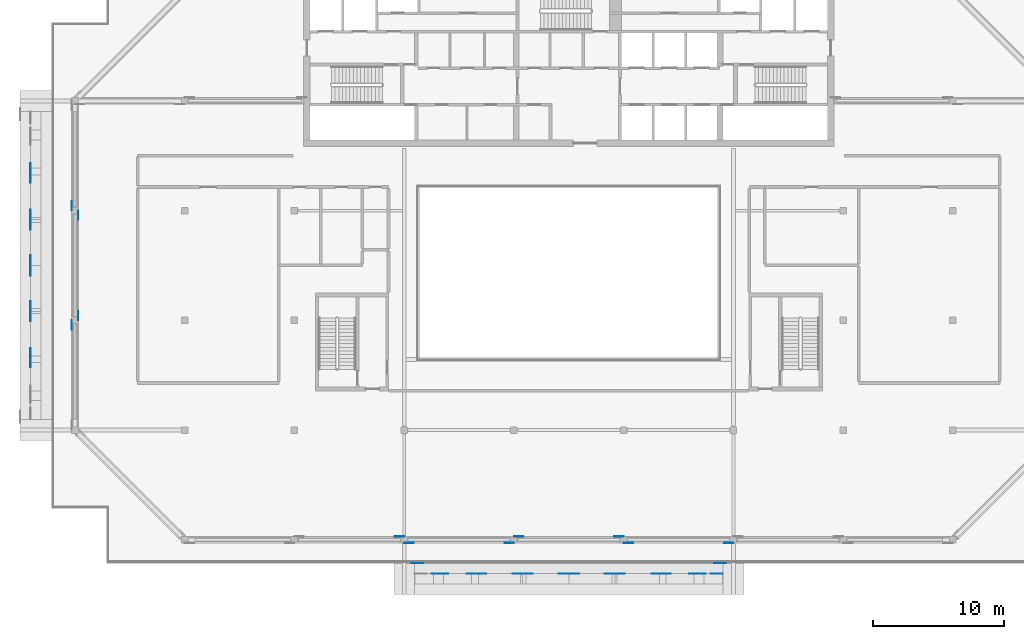
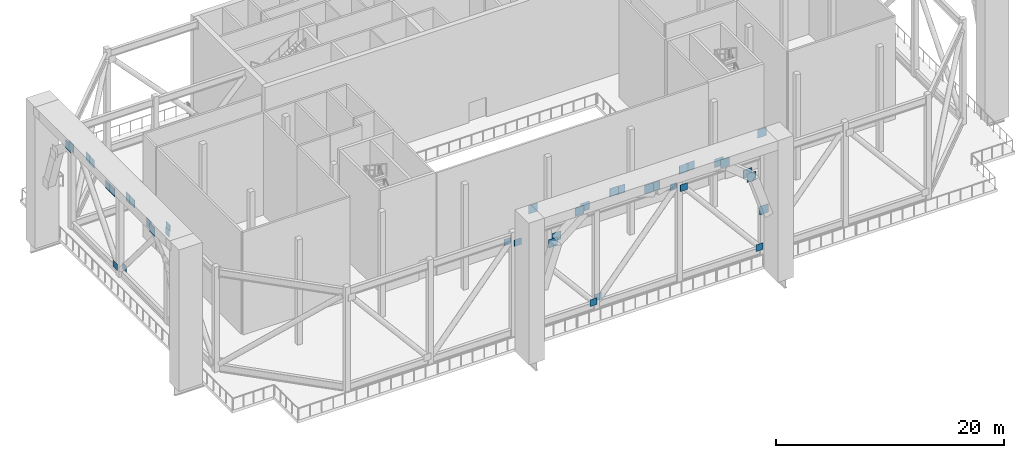
# One storey, part 11 of 20: 38 discrete accessories.
"""IFC4 building model written with IfcOpenShell, lengths in metres."""

import ifcopenshell
import ifcopenshell.guid

model = None  # the IFC model being written
_history = None  # IfcOwnerHistory: only IFC2X3 demands one
_inside = {}  # id of a spatial element -> (the spatial element, [elements in it])
_under = {}  # id of a project, library or spatial element -> (it, [spatial elements below it])
_declared = {}  # id of a project -> (the project, [libraries it declares])
_typed = {}  # id of a type object -> (the type object, [elements of that type])
_made_of = {}  # id of a material, layer set ... -> (it, [elements and type objects made of it])


def new_model(schema):
    """Start an empty IFC model of exactly this schema.

    Asked for "IFC4X3", IfcOpenShell would pick the latest addendum, in which some entities
    have other attributes; the version numbers below select the first issue.
    IFC2X3 requires an IfcOwnerHistory on every rooted entity: one is made here for all.
    """
    global model, _history
    if schema == "IFC4X3":
        model = ifcopenshell.file(schema_version=(4, 3, 0, 0))
    else:
        model = ifcopenshell.file(schema=schema)
    _inside.clear()
    _under.clear()
    _declared.clear()
    _typed.clear()
    _made_of.clear()
    _history = None
    if model.schema == "IFC2X3":
        org = make("IfcOrganization", Name="unknown")
        user = make(
            "IfcPersonAndOrganization",
            ThePerson=make("IfcPerson", FamilyName="unknown"),
            TheOrganization=org,
        )
        app = make(
            "IfcApplication",
            ApplicationDeveloper=org,
            Version="unknown",
            ApplicationFullName="unknown",
            ApplicationIdentifier="unknown",
        )
        _history = make(
            "IfcOwnerHistory",
            OwningUser=user,
            OwningApplication=app,
            ChangeAction="ADDED",
            CreationDate=0,
        )
    return model


def make(cls, **values):
    """One entity of the class cls with the attributes given. An attribute that is None is left unset."""
    return model.create_entity(
        cls, **{name: value for name, value in values.items() if value is not None}
    )


def rooted(cls, **values):
    """An entity with a GlobalId (a new one), such as an element, a storey or a relation."""
    return make(cls, GlobalId=ifcopenshell.guid.new(), OwnerHistory=_history, **values)


def si_unit(unit_type, name, prefix=None):
    """IfcSIUnit, for example si_unit("LENGTHUNIT", "METRE", prefix="MILLI")."""
    return make("IfcSIUnit", UnitType=unit_type, Prefix=prefix, Name=name)


def assignment(units):
    """IfcUnitAssignment: the units of a project."""
    return None if units is None else make("IfcUnitAssignment", Units=units)


def point(xyz):
    """IfcCartesianPoint."""
    return None if xyz is None else make("IfcCartesianPoint", Coordinates=xyz)


def direction(xyz):
    """IfcDirection."""
    return None if xyz is None else make("IfcDirection", DirectionRatios=xyz)


def frame(location, z_axis=None, x_axis=None):
    """IfcAxis2Placement3D, a coordinate frame: its origin and axes. An axis left out is left unset."""
    return make(
        "IfcAxis2Placement3D",
        Location=point(location),
        Axis=direction(z_axis),
        RefDirection=direction(x_axis),
    )


def frame_2d(location, x_axis=None):
    """IfcAxis2Placement2D, a coordinate frame in the plane: its origin and x axis."""
    return make(
        "IfcAxis2Placement2D", Location=point(location), RefDirection=direction(x_axis)
    )


def origin():
    """The frame at (0, 0, 0) with its axes left unset."""
    return frame((0.0, 0.0, 0.0))


def origin_2d():
    """The frame at (0, 0) in the plane with its x axis left unset."""
    return frame_2d((0.0, 0.0))


def place(relative_to, where):
    """IfcLocalPlacement: puts the frame where relative to a parent placement (None: the world)."""
    return make(
        "IfcLocalPlacement", PlacementRelTo=relative_to, RelativePlacement=where
    )


def context(
    kind, dimensions, precision=None, world=None, true_north=None, identifier=None
):
    """IfcGeometricRepresentationContext, for example the 3D "Model" context."""
    return make(
        "IfcGeometricRepresentationContext",
        ContextIdentifier=identifier,
        ContextType=kind,
        CoordinateSpaceDimension=dimensions,
        Precision=precision,
        WorldCoordinateSystem=world,
        TrueNorth=true_north,
    )


def subcontext(parent, identifier, kind, view, scale=None):
    """IfcGeometricRepresentationSubContext, for example "Body" below "Model"."""
    return make(
        "IfcGeometricRepresentationSubContext",
        ContextIdentifier=identifier,
        ContextType=kind,
        ParentContext=parent,
        TargetScale=scale,
        TargetView=view,
    )


def project(units=None, contexts=None):
    """IfcProject with its units and contexts."""
    return rooted(
        "IfcProject",
        Name="project",
        RepresentationContexts=contexts,
        UnitsInContext=assignment(units),
    )


def spatial(cls, under=None, at=None, **own):
    """A site, building, storey or space (cls), placed at a placement, below another one or the project."""
    s = rooted(cls, ObjectPlacement=at, **own)
    if under is not None:
        _under.setdefault(under.id(), (under, []))[1].append(s)
    return s


def profile(cls, at=None, kind="AREA", **sizes):
    """A parametric profile (cls). Its sizes go by their IFC names, for example OverallWidth=200.0."""
    return make(cls, ProfileType=kind, Position=at, **sizes)


def rectangle(**sizes):
    """IfcRectangleProfileDef."""
    return profile("IfcRectangleProfileDef", **sizes)


def extrude(swept, where, along, depth):
    """IfcExtrudedAreaSolid: the profile swept, set in the frame where, extruded along a direction by depth."""
    return make(
        "IfcExtrudedAreaSolid",
        SweptArea=swept,
        Position=where,
        ExtrudedDirection=direction(along),
        Depth=depth,
    )


def shape(context_of_items, identifier, shape_type, items):
    """IfcShapeRepresentation: the items that make up one representation, for example the "Body"."""
    return make(
        "IfcShapeRepresentation",
        ContextOfItems=context_of_items,
        RepresentationIdentifier=identifier,
        RepresentationType=shape_type,
        Items=items,
    )


def made_of(thing, what):
    """Note that an element or type object is made of a material, layer set ...; save() writes the relation."""
    if what is not None:
        _made_of.setdefault(what.id(), (what, []))[1].append(thing)
    return thing


def element(
    cls,
    number,
    at=None,
    inside=None,
    cuts=None,
    type_object=None,
    material=None,
    context=None,
    identifier="Body",
    shape_type=None,
    held_by="IfcProductDefinitionShape",
    body=None,
    shapes=None,
    **own,
):
    """One element of the class cls, such as IfcWall. Its Tag is "e" and its number.

    at: its placement. inside: the storey or other place that contains it. cuts: it is an
    opening in that element (IfcRelVoidsElement). A single representation is given by context,
    identifier, shape_type and body (its items); several are given by shapes. held_by: the class
    of the entity that holds the representations. save() writes the other relations.
    """
    e = rooted(cls, Tag="e%d" % number, ObjectPlacement=at, **own)
    if body is not None:
        shapes = [shape(context, identifier, shape_type, body)]
    if shapes is not None:
        e.Representation = make(held_by, Representations=shapes)
    if inside is not None:
        _inside.setdefault(inside.id(), (inside, []))[1].append(e)
    if cuts is not None:
        rooted(
            "IfcRelVoidsElement", RelatingBuildingElement=cuts, RelatedOpeningElement=e
        )
    if type_object is not None:
        _typed.setdefault(type_object.id(), (type_object, []))[1].append(e)
    return made_of(e, material)


def aggregate(whole, parts):
    """IfcRelAggregates: a whole, such as a stair, and the parts it consists of."""
    return rooted("IfcRelAggregates", RelatingObject=whole, RelatedObjects=parts)


def save(model, path):
    """Write the relations noted so far, then the file.

    IfcRelAggregates (storeys below a building ...), IfcRelContainedInSpatialStructure (elements
    in a storey), IfcRelDefinesByType, IfcRelAssociatesMaterial and IfcRelDeclares: one each for
    every whole, place, type object, material and project.
    """
    for whole, parts in _under.values():
        aggregate(whole, parts)
    for where, things in _inside.values():
        rooted(
            "IfcRelContainedInSpatialStructure",
            RelatedElements=things,
            RelatingStructure=where,
        )
    for kind, things in _typed.values():
        rooted("IfcRelDefinesByType", RelatedObjects=things, RelatingType=kind)
    for what, things in _made_of.values():
        rooted("IfcRelAssociatesMaterial", RelatedObjects=things, RelatingMaterial=what)
    for by, libraries in _declared.values():
        rooted("IfcRelDeclares", RelatingContext=by, RelatedDefinitions=libraries)
    model.write(path)


model = new_model("IFC4")

# Units and contexts
model_context = context("Model", 3, precision=1e-05, world=origin(), true_north=direction((0.0, 1.0)))
body_context = subcontext(model_context, "Body", "Model", "MODEL_VIEW")
ifc_project = project(units=[si_unit("LENGTHUNIT", "METRE"), si_unit("AREAUNIT", "SQUARE_METRE"), si_unit("VOLUMEUNIT", "CUBIC_METRE"), si_unit("PLANEANGLEUNIT", "RADIAN"), si_unit("MASSUNIT", "GRAM", prefix="KILO")], contexts=[model_context])

# Site, building, storey
site_placement = place(None, origin())
site = spatial("IfcSite", under=ifc_project, at=site_placement, CompositionType="ELEMENT")
building_placement = place(site_placement, origin())
building = spatial("IfcBuilding", under=site, at=building_placement, Name="Saffron Gate Tower", CompositionType="ELEMENT")
storey_placement = place(building_placement, frame((0.0, 0.0, 252.300048828125)))
storey = spatial("IfcBuildingStorey", under=building, at=storey_placement, Name="L62", CompositionType="ELEMENT", Elevation=252.300048828125)

# Discrete accessories
for number, where, z_axis, x_axis, name in (
    (1, (49.5458984375, 48.2353515625, 9.678466796875), (0.0, 0.0, 1.0), (0.0, 1.0, 0.0), "GUSSET PLATE"),
    (2, (50.053955078125, 56.635498046875, 0.580322265625), (0.0, 0.0, 1.0), (0.0, -1.0, 0.0), "GUSSET PLATE"),
    (3, (50.053955078125, 48.964599609375, 9.678466796875), (0.0, 0.0, 1.0), (0.0, -1.0, 0.0), "GUSSET PLATE"),
    (4, (49.5458984375, 57.364501953125, 0.580322265625), (0.0, 0.0, 1.0), (0.0, 1.0, 0.0), "GUSSET PLATE"),
    (5, (74.635498046875, 32.053955078125, 9.678466796875), (0.0, 0.0, 1.0), (1.0, 0.0, 0.0), "GUSSET PLATE"),
    (6, (83.035400390625, 31.5458984375, 0.580322265625), (0.0, 0.0, 1.0), (-1.0, 0.0, 0.0), "GUSSET PLATE"),
    (7, (75.364501953125, 31.5458984375, 9.678466796875), (0.0, 0.0, 1.0), (-1.0, 0.0, 0.0), "GUSSET PLATE"),
    (8, (83.7646484375, 32.053955078125, 0.580322265625), (0.0, 0.0, 1.0), (1.0, 0.0, 0.0), "GUSSET PLATE"),
    (9, (91.435302734375, 32.053955078125, 9.678466796875), (0.0, 0.0, 1.0), (1.0, 0.0, 0.0), "GUSSET PLATE"),
    (10, (99.83544921875, 31.5458984375, 0.580322265625), (0.0, 0.0, 1.0), (-1.0, 0.0, 0.0), "GUSSET PLATE"),
    (11, (92.16455078125, 31.5458984375, 9.678466796875), (0.0, 0.0, 1.0), (-1.0, 0.0, 0.0), "GUSSET PLATE"),
):
    element("IfcDiscreteAccessory", number, at=place(storey_placement, frame(where, z_axis=z_axis, x_axis=x_axis)), inside=storey, Name=name, ObjectType="GUSSET PLATE", PredefinedType="USERDEFINED", context=body_context, shape_type="SweptSolid", body=[
        extrude(rectangle(XDim=0.7109375, YDim=0.02001953125, at=origin_2d()), origin(), (0.0, 0.0, 1.0), 0.7109375),
    ])
for number, where, z_axis, x_axis, name in (
    (12, (77.55517578125, 29.199951171875, 10.19677734375), (0.0, 0.0, 1.0), (1.0, 0.0, 0.0), "EMBEDDED PLATE"),
    (13, (77.92431640625, 29.199951171875, 10.737548828125), (0.0, 0.0, 1.0), (1.0, 0.0, 0.0), "EMBEDDED PLATE"),
    (14, (80.24072265625, 29.199951171875, 12.648681640625), (0.0, 0.0, 1.0), (1.0, 0.0, 0.0), "EMBEDDED PLATE"),
    (15, (80.811279296875, 29.199951171875, 12.919677734375), (0.0, 0.0, 1.0), (1.0, 0.0, 0.0), "EMBEDDED PLATE"),
    (16, (83.771240234375, 29.199951171875, 13.50927734375), (0.0, 0.0, 1.0), (1.0, 0.0, 0.0), "EMBEDDED PLATE"),
    (17, (84.40234375, 29.199951171875, 13.4775390625), (0.0, 0.0, 1.0), (1.0, 0.0, 0.0), "EMBEDDED PLATE"),
    (18, (87.267822265625, 29.199951171875, 12.6015625), (0.0, 0.0, 1.0), (1.0, 0.0, 0.0), "EMBEDDED PLATE"),
    (19, (87.93212890625, 29.199951171875, 12.6015625), (0.0, 0.0, 1.0), (1.0, 0.0, 0.0), "EMBEDDED PLATE"),
    (20, (90.797607421875, 29.199951171875, 13.4775390625), (0.0, 0.0, 1.0), (1.0, 0.0, 0.0), "EMBEDDED PLATE"),
    (21, (91.4287109375, 29.199951171875, 13.50927734375), (0.0, 0.0, 1.0), (1.0, 0.0, 0.0), "EMBEDDED PLATE"),
    (22, (94.388671875, 29.199951171875, 12.919677734375), (0.0, 0.0, 1.0), (1.0, 0.0, 0.0), "EMBEDDED PLATE"),
    (23, (94.959228515625, 29.199951171875, 12.648681640625), (0.0, 0.0, 1.0), (1.0, 0.0, 0.0), "EMBEDDED PLATE"),
    (24, (97.275634765625, 29.199951171875, 10.737548828125), (0.0, 0.0, 1.0), (1.0, 0.0, 0.0), "EMBEDDED PLATE"),
    (25, (97.644775390625, 29.199951171875, 10.19677734375), (0.0, 0.0, 1.0), (1.0, 0.0, 0.0), "EMBEDDED PLATE"),
    (26, (98.9296875, 29.199951171875, 6.28125), (0.0, 0.0, 1.0), (1.0, 0.0, 0.0), "EMBEDDED PLATE"),
    (27, (76.02490234375, 30.0, 13.89990234375), (0.0, 0.0, 1.0), (1.0, 0.0, 0.0), "EMBEDDED PLATE"),
    (28, (99.175048828125, 30.0, 13.89990234375), (0.0, 0.0, 1.0), (1.0, 0.0, 0.0), "EMBEDDED PLATE"),
    (29, (46.39990234375, 45.440673828125, 12.648681640625), (0.0, 0.0, 1.0), (0.0, 1.0, 0.0), "EMBEDDED PLATE"),
    (30, (46.39990234375, 46.01123046875, 12.919677734375), (0.0, 0.0, 1.0), (0.0, 1.0, 0.0), "EMBEDDED PLATE"),
    (31, (46.39990234375, 48.97119140625, 13.50927734375), (0.0, 0.0, 1.0), (0.0, 1.0, 0.0), "EMBEDDED PLATE"),
    (32, (46.39990234375, 49.602294921875, 13.4775390625), (0.0, 0.0, 1.0), (0.0, 1.0, 0.0), "EMBEDDED PLATE"),
    (33, (46.39990234375, 52.468017578125, 12.6015625), (0.0, 0.0, 1.0), (0.0, 1.0, 0.0), "EMBEDDED PLATE"),
    (34, (46.39990234375, 53.132080078125, 12.6015625), (0.0, 0.0, 1.0), (0.0, 1.0, 0.0), "EMBEDDED PLATE"),
    (35, (46.39990234375, 55.997802734375, 13.4775390625), (0.0, 0.0, 1.0), (0.0, 1.0, 0.0), "EMBEDDED PLATE"),
    (36, (46.39990234375, 56.628662109375, 13.50927734375), (0.0, 0.0, 1.0), (0.0, 1.0, 0.0), "EMBEDDED PLATE"),
    (37, (46.39990234375, 59.588623046875, 12.919677734375), (0.0, 0.0, 1.0), (0.0, 1.0, 0.0), "EMBEDDED PLATE"),
    (38, (46.39990234375, 60.1591796875, 12.648681640625), (0.0, 0.0, 1.0), (0.0, 1.0, 0.0), "EMBEDDED PLATE"),
):
    element("IfcDiscreteAccessory", number, at=place(storey_placement, frame(where, z_axis=z_axis, x_axis=x_axis)), inside=storey, Name=name, ObjectType="EMBEDDED PLATE", PredefinedType="USERDEFINED", context=body_context, shape_type="SweptSolid", body=[
        extrude(rectangle(XDim=0.89990234375, YDim=0.02001953125, at=origin_2d()), origin(), (0.0, 0.0, 1.0), 0.89990234375),
    ])

save(model, "model.ifc")
